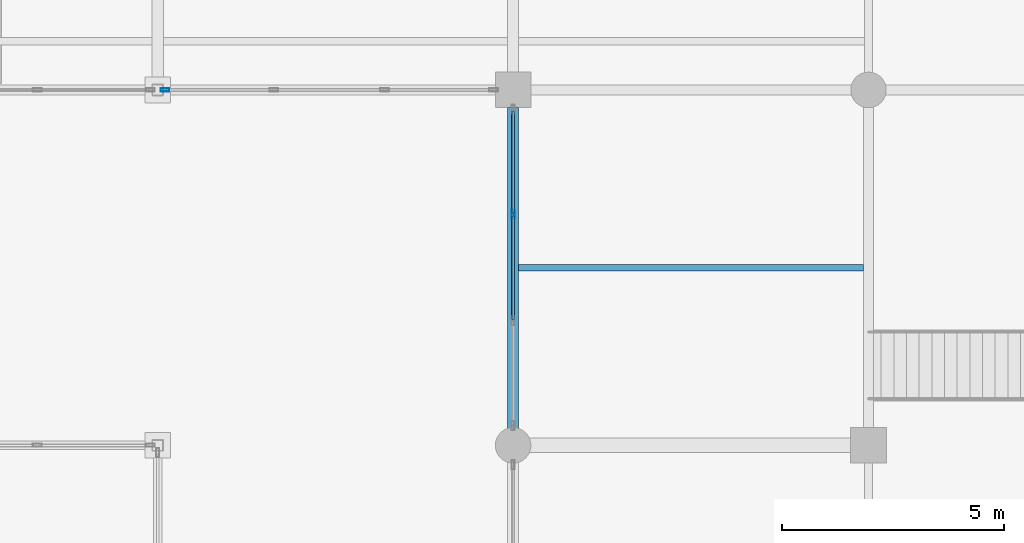
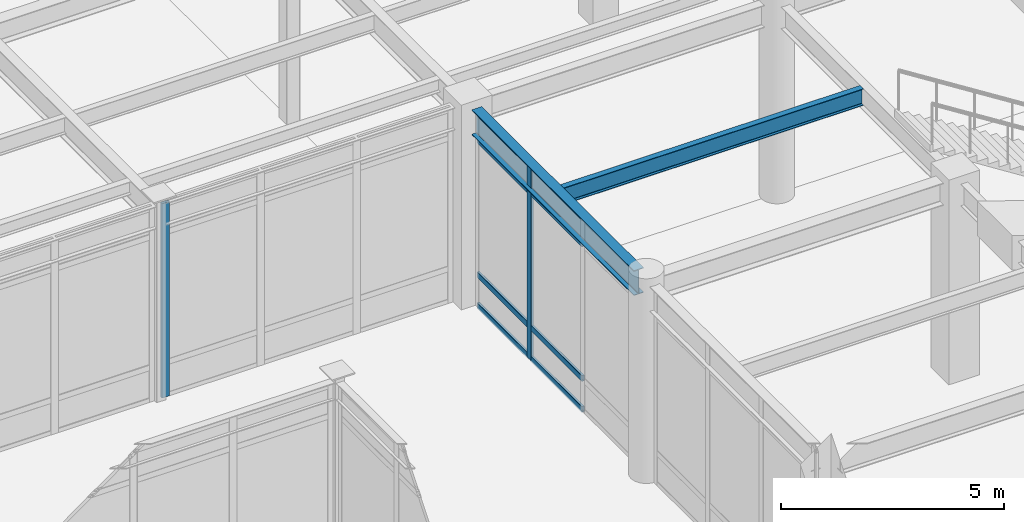
# One storey, part 67 of 128: 10 members, 2 beams, 2 elements without a shape of their own.
"""IFC4 building model written with IfcOpenShell, lengths in metres."""

from ifc_helpers import new_model, si_unit, direction, frame, origin, origin_2d, place, context, subcontext, project, spatial, hollow_rectangle, i_section, extrude, material, material_profile, profile_set, type_object, element, aggregate, save


model = new_model("IFC4")

# Units and contexts
model_context = context("Model", 3, precision=1e-05, world=origin(), true_north=direction((0.0, 1.0)))
body_context = subcontext(model_context, "Body", "Model", "MODEL_VIEW")
ifc_project = project(units=[si_unit("LENGTHUNIT", "METRE"), si_unit("AREAUNIT", "SQUARE_METRE"), si_unit("VOLUMEUNIT", "CUBIC_METRE"), si_unit("PLANEANGLEUNIT", "RADIAN"), si_unit("MASSUNIT", "GRAM", prefix="KILO")], contexts=[model_context])

# Site, building, storey
site_placement = place(None, origin())
site = spatial("IfcSite", under=ifc_project, at=site_placement, CompositionType="ELEMENT")
building_placement = place(site_placement, origin())
building = spatial("IfcBuilding", under=site, at=building_placement, Name="Solmirada Galleria", CompositionType="ELEMENT")
storey_placement = place(building_placement, origin())
storey = spatial("IfcBuildingStorey", under=building, at=storey_placement, Name="L00", CompositionType="ELEMENT", Elevation=0.0)

# Beams
ifc_material_1 = material(Name="Steel S355 / ASTM A992 Grade 50", Category="steel")
ifc_material_profile_1 = material_profile(ifc_material_1, i_section(OverallWidth=0.25390625, OverallDepth=0.68408203125, WebThickness=0.012451171875, FlangeThickness=0.018798828125, FilletRadius=0.01708984375, at=origin_2d()), Name="W27X94")
ifc_profile_set_1 = profile_set([ifc_material_profile_1], Name="Steel S355 / ASTM A992 Grade 50")
beam_type_1 = type_object("IfcBeamType", Name="BM-GIRD-W27B", PredefinedType="BEAM", material=ifc_profile_set_1)
beam_1_placement = place(storey_placement, frame((80.0, 64.3359375, 5.0380859375), z_axis=(0.0, 1.0, 0.0), x_axis=(-1.0, 0.0, 0.0)))
element("IfcBeam", 1, at=beam_1_placement, inside=storey, type_object=beam_type_1, Name="Primary girder L01 Y(80, 64..72)", PredefinedType="BEAM", context=body_context, shape_type="SweptSolid", body=[
    extrude(i_section(OverallWidth=0.25390625, OverallDepth=0.68408203125, WebThickness=0.012451171875, FlangeThickness=0.018798828125, FilletRadius=0.01708984375, at=origin_2d()), origin(), (0.0, 0.0, 1.0), 7.26416015625),
])
ifc_material_profile_2 = material_profile(ifc_material_1, i_section(OverallWidth=0.153076171875, OverallDepth=0.455078125, WebThickness=0.008056640625, FlangeThickness=0.01318359375, FilletRadius=0.011962890625, at=origin_2d()), Name="W18X40")
ifc_profile_set_2 = profile_set([ifc_material_profile_2], Name="Steel S355 / ASTM A992 Grade 50")
beam_type_2 = type_object("IfcBeamType", Name="BM-JST-W18A", PredefinedType="JOIST", material=ifc_profile_set_2)
beam_2_placement = place(storey_placement, frame((80.126953125, 68.0, 5.152587890625), z_axis=(1.0, 0.0, 0.0), x_axis=(0.0, 1.0, 0.0)))
element("IfcBeam", 2, at=beam_2_placement, inside=storey, type_object=beam_type_2, Name="Composite floor joist L01 (80..88, 68.0)", PredefinedType="JOIST", context=body_context, shape_type="SweptSolid", body=[
    extrude(i_section(OverallWidth=0.153076171875, OverallDepth=0.455078125, WebThickness=0.008056640625, FlangeThickness=0.01318359375, FilletRadius=0.011962890625, at=origin_2d()), origin(), (0.0, 0.0, 1.0), 7.759033203125),
])

# Curtain wall, member
ifc_material_2 = material(Name="Impact-resistant low-E double glazing", Category="glass")
curtain_wall_type_1 = type_object("IfcCurtainWallType", Name="CW-FZ3-L00-B3-L072", PredefinedType="NOTDEFINED", material=ifc_material_2)
curtain_wall_1_placement = place(storey_placement, origin())
curtain_wall_1 = element("IfcCurtainWall", 3, at=curtain_wall_1_placement, inside=storey, type_object=curtain_wall_type_1, Name="Terrace and arcade storefront CW-L00-003", PredefinedType="NOTDEFINED")
ifc_material_3 = material(Name="Anodised aluminium framing", Category="aluminium")
ifc_material_profile_3 = material_profile(ifc_material_3, hollow_rectangle(XDim=0.070068359375, YDim=0.199951171875, WallThickness=0.004150390625, InnerFilletRadius=0.004150390625, OuterFilletRadius=0.00830078125, at=origin_2d()), Name="ALU-MULL-200X70")
ifc_profile_set_3 = profile_set([ifc_material_profile_3], Name="Anodised aluminium framing")
member_type_1 = type_object("IfcMemberType", Name="CW-MULL-200", PredefinedType="MULLION", material=ifc_profile_set_3)
member_1_placement = place(storey_placement, frame((80.0, 69.19921875, 0.0), z_axis=(0.0, 0.0, 1.0), x_axis=(-1.0, 0.0, 0.0)))
member_1 = element("IfcMember", 4, at=member_1_placement, type_object=member_type_1, Name="CW01 mullion 3", PredefinedType="MULLION", context=body_context, shape_type="SweptSolid", body=[
    extrude(hollow_rectangle(XDim=0.070068359375, YDim=0.199951171875, WallThickness=0.004150390625, InnerFilletRadius=0.004150390625, OuterFilletRadius=0.00830078125, at=origin_2d()), origin(), (0.0, 0.0, 1.0), 5.320068359375),
])

curtain_wall_type_2 = type_object("IfcCurtainWallType", Name="CW-FZ4-L00-B3-L075", PredefinedType="NOTDEFINED", material=ifc_material_2)
curtain_wall_2_placement = place(storey_placement, origin())
curtain_wall_2 = element("IfcCurtainWall", 5, at=curtain_wall_2_placement, inside=storey, type_object=curtain_wall_type_2, Name="Terrace and arcade storefront CW-L00-004", PredefinedType="NOTDEFINED")
member_2_placement = place(storey_placement, frame((72.1640625, 72.0, 0.0), z_axis=(0.0, 0.0, 1.0), x_axis=(0.0, -1.0, 0.0)))
member_2 = element("IfcMember", 6, at=member_2_placement, type_object=member_type_1, Name="CW02 mullion 4", PredefinedType="MULLION", context=body_context, shape_type="SweptSolid", body=[
    extrude(hollow_rectangle(XDim=0.070068359375, YDim=0.199951171875, WallThickness=0.004150390625, InnerFilletRadius=0.004150390625, OuterFilletRadius=0.00830078125, at=origin_2d()), origin(), (0.0, 0.0, 1.0), 5.320068359375),
])
aggregate(curtain_wall_2, [member_2])

# Member
ifc_material_profile_4 = material_profile(ifc_material_3, hollow_rectangle(XDim=0.06494140625, YDim=0.159912109375, WallThickness=0.00390625, InnerFilletRadius=0.00390625, OuterFilletRadius=0.007568359375, at=origin_2d()), Name="ALU-TRAN-160X65")
ifc_profile_set_4 = profile_set([ifc_material_profile_4], Name="Anodised aluminium framing")
member_type_2 = type_object("IfcMemberType", Name="CW-TRAN-160", PredefinedType="USERDEFINED", material=ifc_profile_set_4)
member_3_placement = place(storey_placement, frame((80.0, 66.835693359375, 0.032470703125), z_axis=(0.0, 1.0, 0.0), x_axis=(-1.0, 0.0, 0.0)))
member_3 = element("IfcMember", 7, at=member_3_placement, type_object=member_type_2, Name="CW01 transom 2.1", ObjectType="TRANSOM", PredefinedType="USERDEFINED", context=body_context, shape_type="SweptSolid", body=[
    extrude(hollow_rectangle(XDim=0.06494140625, YDim=0.159912109375, WallThickness=0.00390625, InnerFilletRadius=0.00390625, OuterFilletRadius=0.007568359375, at=origin_2d()), origin(), (0.0, 0.0, 1.0), 2.32861328125),
])

member_4_placement = place(storey_placement, frame((80.0, 66.835693359375, 0.8798828125), z_axis=(0.0, 1.0, 0.0), x_axis=(-1.0, 0.0, 0.0)))
member_4 = element("IfcMember", 8, at=member_4_placement, type_object=member_type_2, Name="CW01 transom 2.2", ObjectType="TRANSOM", PredefinedType="USERDEFINED", context=body_context, shape_type="SweptSolid", body=[
    extrude(hollow_rectangle(XDim=0.06494140625, YDim=0.159912109375, WallThickness=0.00390625, InnerFilletRadius=0.00390625, OuterFilletRadius=0.007568359375, at=origin_2d()), origin(), (0.0, 0.0, 1.0), 2.32861328125),
])

member_5_placement = place(storey_placement, frame((80.0, 66.835693359375, 4.56005859375), z_axis=(0.0, 1.0, 0.0), x_axis=(-1.0, 0.0, 0.0)))
member_5 = element("IfcMember", 9, at=member_5_placement, type_object=member_type_2, Name="CW01 transom 2.3", ObjectType="TRANSOM", PredefinedType="USERDEFINED", context=body_context, shape_type="SweptSolid", body=[
    extrude(hollow_rectangle(XDim=0.06494140625, YDim=0.159912109375, WallThickness=0.00390625, InnerFilletRadius=0.00390625, OuterFilletRadius=0.007568359375, at=origin_2d()), origin(), (0.0, 0.0, 1.0), 2.32861328125),
])

member_6_placement = place(storey_placement, frame((80.0, 66.835693359375, 5.28759765625), z_axis=(0.0, 1.0, 0.0), x_axis=(-1.0, 0.0, 0.0)))
member_6 = element("IfcMember", 10, at=member_6_placement, type_object=member_type_2, Name="CW01 transom 2.4", ObjectType="TRANSOM", PredefinedType="USERDEFINED", context=body_context, shape_type="SweptSolid", body=[
    extrude(hollow_rectangle(XDim=0.06494140625, YDim=0.159912109375, WallThickness=0.00390625, InnerFilletRadius=0.00390625, OuterFilletRadius=0.007568359375, at=origin_2d()), origin(), (0.0, 0.0, 1.0), 2.32861328125),
])

member_7_placement = place(storey_placement, frame((80.0, 69.234375, 0.032470703125), z_axis=(0.0, 1.0, 0.0), x_axis=(-1.0, 0.0, 0.0)))
member_7 = element("IfcMember", 11, at=member_7_placement, type_object=member_type_2, Name="CW01 transom 3.1", ObjectType="TRANSOM", PredefinedType="USERDEFINED", context=body_context, shape_type="SweptSolid", body=[
    extrude(hollow_rectangle(XDim=0.06494140625, YDim=0.159912109375, WallThickness=0.00390625, InnerFilletRadius=0.00390625, OuterFilletRadius=0.007568359375, at=origin_2d()), origin(), (0.0, 0.0, 1.0), 2.293701171875),
])

member_8_placement = place(storey_placement, frame((80.0, 69.234375, 0.8798828125), z_axis=(0.0, 1.0, 0.0), x_axis=(-1.0, 0.0, 0.0)))
member_8 = element("IfcMember", 12, at=member_8_placement, type_object=member_type_2, Name="CW01 transom 3.2", ObjectType="TRANSOM", PredefinedType="USERDEFINED", context=body_context, shape_type="SweptSolid", body=[
    extrude(hollow_rectangle(XDim=0.06494140625, YDim=0.159912109375, WallThickness=0.00390625, InnerFilletRadius=0.00390625, OuterFilletRadius=0.007568359375, at=origin_2d()), origin(), (0.0, 0.0, 1.0), 2.293701171875),
])

member_9_placement = place(storey_placement, frame((80.0, 69.234375, 4.56005859375), z_axis=(0.0, 1.0, 0.0), x_axis=(-1.0, 0.0, 0.0)))
member_9 = element("IfcMember", 13, at=member_9_placement, type_object=member_type_2, Name="CW01 transom 3.3", ObjectType="TRANSOM", PredefinedType="USERDEFINED", context=body_context, shape_type="SweptSolid", body=[
    extrude(hollow_rectangle(XDim=0.06494140625, YDim=0.159912109375, WallThickness=0.00390625, InnerFilletRadius=0.00390625, OuterFilletRadius=0.007568359375, at=origin_2d()), origin(), (0.0, 0.0, 1.0), 2.293701171875),
])

member_10_placement = place(storey_placement, frame((80.0, 69.234375, 5.28759765625), z_axis=(0.0, 1.0, 0.0), x_axis=(-1.0, 0.0, 0.0)))
member_10 = element("IfcMember", 14, at=member_10_placement, type_object=member_type_2, Name="CW01 transom 3.4", ObjectType="TRANSOM", PredefinedType="USERDEFINED", context=body_context, shape_type="SweptSolid", body=[
    extrude(hollow_rectangle(XDim=0.06494140625, YDim=0.159912109375, WallThickness=0.00390625, InnerFilletRadius=0.00390625, OuterFilletRadius=0.007568359375, at=origin_2d()), origin(), (0.0, 0.0, 1.0), 2.293701171875),
])

aggregate(curtain_wall_1, [member_1, member_3, member_4, member_5, member_6, member_7, member_8, member_9, member_10])

save(model, "model.ifc")
